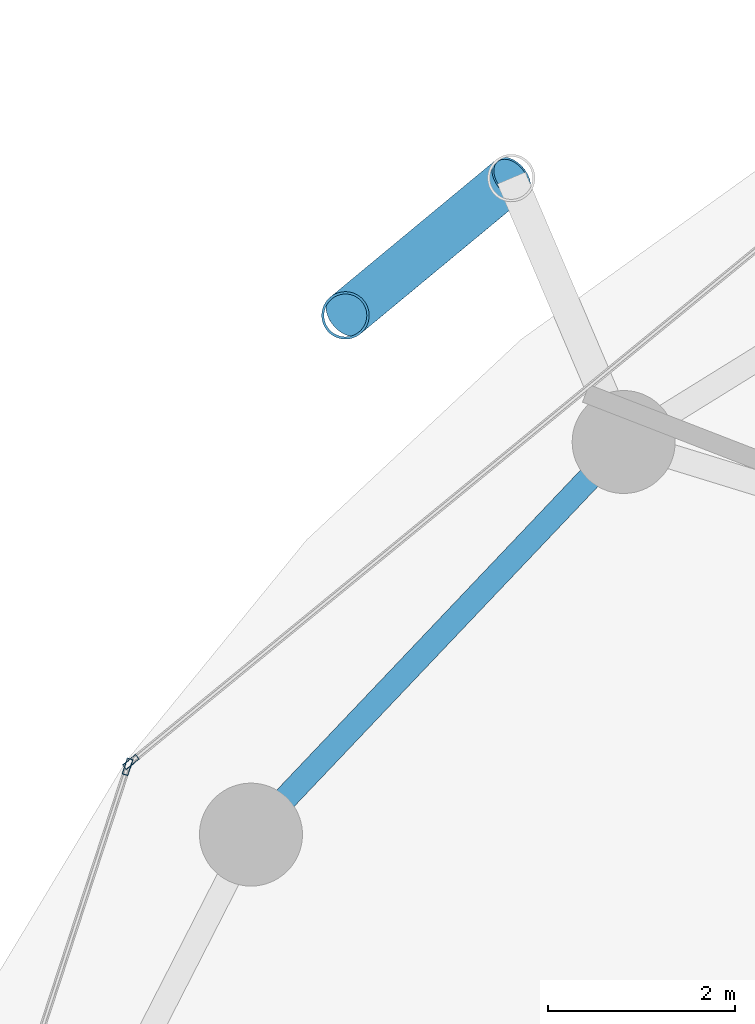
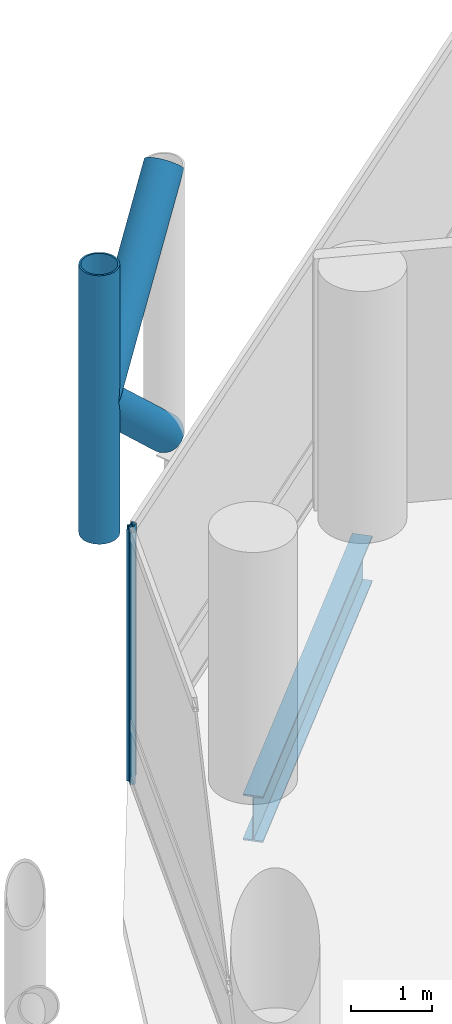
# One storey, part 13 of 24: 5 members, 1 beam, 2 elements without a shape of their own.
"""IFC4 building model written with IfcOpenShell, lengths in metres."""

from ifc_helpers import new_model, si_unit, direction, frame, origin, origin_2d, place, context, subcontext, project, spatial, hollow_rectangle, hollow_circle, i_section, extrude, material, layer, layer_set, material_profile, profile_set, type_object, element, aggregate, save


model = new_model("IFC4")

# Units and contexts
model_context = context("Model", 3, precision=1e-05, world=origin(), true_north=direction((0.0, 1.0)))
body_context = subcontext(model_context, "Body", "Model", "MODEL_VIEW")
ifc_project = project(units=[si_unit("LENGTHUNIT", "METRE"), si_unit("AREAUNIT", "SQUARE_METRE"), si_unit("VOLUMEUNIT", "CUBIC_METRE"), si_unit("PLANEANGLEUNIT", "RADIAN"), si_unit("MASSUNIT", "GRAM", prefix="KILO")], contexts=[model_context])

# Site, building, storey
site_placement = place(None, origin())
site = spatial("IfcSite", under=ifc_project, at=site_placement, CompositionType="ELEMENT")
building_placement = place(site_placement, origin())
building = spatial("IfcBuilding", under=site, at=building_placement, Name="Nuhasar Tower", CompositionType="ELEMENT")
storey_placement = place(building_placement, frame((0.0, 0.0, 77.699951171875)))
storey = spatial("IfcBuildingStorey", under=building, at=storey_placement, Name="L18", CompositionType="ELEMENT", Elevation=77.699951171875)

# Beam
ifc_material_1 = material(Name="Steel S355", Category="steel")
ifc_material_profile_1 = material_profile(ifc_material_1, i_section(OverallWidth=0.256103515625, OverallDepth=0.693115234375, WebThickness=0.014404296875, FlangeThickness=0.023681640625, at=origin_2d()), Name="W27X114")
ifc_profile_set_1 = profile_set([ifc_material_profile_1], Name="Steel S355")
beam_type = type_object("IfcBeamType", Name="BM-RING-W27X114", PredefinedType="SPANDREL", material=ifc_profile_set_1)
beam_placement = place(storey_placement, frame((21.287109375, 41.118896484375, -0.596923828125), z_axis=(-0.688480893507, -0.725254478976, 0.0), x_axis=(0.725254478976, -0.688480893507, 0.0)))
element("IfcBeam", 1, at=beam_placement, inside=storey, type_object=beam_type, Name="L18 Perimeter Ring Spandrel 10", PredefinedType="SPANDREL", context=body_context, shape_type="SweptSolid", body=[
    extrude(i_section(OverallWidth=0.256103515625, OverallDepth=0.693115234375, WebThickness=0.014404296875, FlangeThickness=0.023681640625, at=origin_2d()), origin(), (0.0, 0.0, 1.0), 5.782470703125),
])

# Curtain wall, member
ifc_material_2 = material(Name="Aluminium 6063-T6", Category="aluminium")
ifc_layer = layer(ifc_material_2, 0.199951171875)
ifc_layer_set = layer_set([ifc_layer], Name="Aluminium 6063-T6")
curtain_wall_type = type_object("IfcCurtainWallType", Name="CW-Z1-OFF", PredefinedType="NOTDEFINED", material=ifc_layer_set)
curtain_wall_1_placement = place(storey_placement, origin())
curtain_wall_1 = element("IfcCurtainWall", 2, at=curtain_wall_1_placement, inside=storey, type_object=curtain_wall_type, Name="L18 Unitised Curtain Wall 05", PredefinedType="NOTDEFINED")
ifc_material_profile_2 = material_profile(ifc_material_2, hollow_rectangle(XDim=0.06494140625, YDim=0.179931640625, WallThickness=0.0048828125, at=origin_2d()), Name="CWM-2")
ifc_profile_set_2 = profile_set([ifc_material_profile_2], Name="Aluminium 6063-T6")
member_type_1 = type_object("IfcMemberType", Name="CW-MUL-S2", PredefinedType="MULLION", material=ifc_profile_set_2)
member_1_placement = place(storey_placement, frame((16.023193359375, 37.70068359375, 0.0), z_axis=(0.0, 0.0, 1.0), x_axis=(0.633744593376, -0.773542364946, 0.0)))
member_1 = element("IfcMember", 3, at=member_1_placement, type_object=member_type_1, Name="CW-Z1 mullion 2", PredefinedType="MULLION", context=body_context, shape_type="SweptSolid", body=[
    extrude(hollow_rectangle(XDim=0.06494140625, YDim=0.179931640625, WallThickness=0.0048828125, at=origin_2d()), origin(), (0.0, 0.0, 1.0), 3.800048828125),
])
aggregate(curtain_wall_1, [member_1])

curtain_wall_2_placement = place(storey_placement, origin())
curtain_wall_2 = element("IfcCurtainWall", 4, at=curtain_wall_2_placement, inside=storey, type_object=curtain_wall_type, Name="L18 Unitised Curtain Wall 06", PredefinedType="NOTDEFINED")
member_2_placement = place(storey_placement, frame((15.98779296875, 37.649169921875, 0.0), z_axis=(0.0, 0.0, 1.0), x_axis=(0.950467534571, -0.310823849997, 0.0)))
member_2 = element("IfcMember", 5, at=member_2_placement, type_object=member_type_1, Name="CW-Z1 mullion 1", PredefinedType="MULLION", context=body_context, shape_type="SweptSolid", body=[
    extrude(hollow_rectangle(XDim=0.06494140625, YDim=0.179931640625, WallThickness=0.0048828125, at=origin_2d()), origin(), (0.0, 0.0, 1.0), 3.800048828125),
])
aggregate(curtain_wall_2, [member_2])

# Members
ifc_material_3 = material(Name="Steel S460", Category="steel")
ifc_material_profile_3 = material_profile(ifc_material_3, hollow_circle(Radius=0.25390625, WallThickness=0.025390625, at=origin_2d()), Name="HSS508X25.4")
ifc_profile_set_3 = profile_set([ifc_material_profile_3], Name="Steel S460")
member_type_2 = type_object("IfcMemberType", Name="EXO-BRONZE-508", PredefinedType="BRACE", material=ifc_profile_set_3)
member_3_placement = place(storey_placement, frame((18.31494140625, 42.470947265625, 0.0), z_axis=(0.0, 0.0, 1.0), x_axis=(1.0, 0.0, 0.0)))
element("IfcMember", 6, at=member_3_placement, inside=storey, type_object=member_type_2, Name="L18 Exoskeleton Chord Column EC-05B", PredefinedType="BRACE", context=body_context, shape_type="SweptSolid", body=[
    extrude(hollow_circle(Radius=0.25390625, WallThickness=0.025390625, at=origin_2d()), origin(), (0.0, 0.0, 1.0), 4.050048828125),
])
member_4_placement = place(storey_placement, frame((20.0869140625, 43.93896484375, 0.0), z_axis=(-0.578071194894, -0.478911834514, 0.660664172175), x_axis=(0.637969333506, -0.770061769929, 0.0)))
element("IfcMember", 7, at=member_4_placement, inside=storey, type_object=member_type_2, Name="L18 Bronze Diagrid Brace W1-05", PredefinedType="BRACE", context=body_context, shape_type="SweptSolid", body=[
    extrude(hollow_circle(Radius=0.25390625, WallThickness=0.025390625, at=origin_2d()), origin(), (0.0, 0.0, 1.0), 3.0654296875),
])
member_5_placement = place(storey_placement, frame((18.31494140625, 42.470947265625, 2.025146484375), z_axis=(0.578101613167, 0.478937034992, 0.660619286251), x_axis=(-0.637969333506, 0.770061769929, 0.0)))
element("IfcMember", 8, at=member_5_placement, inside=storey, type_object=member_type_2, Name="L18 Bronze Diagrid Brace W2-05", PredefinedType="BRACE", context=body_context, shape_type="SweptSolid", body=[
    extrude(hollow_circle(Radius=0.25390625, WallThickness=0.025390625, at=origin_2d()), origin(), (0.0, 0.0, 1.0), 3.065185546875),
])

save(model, "model.ifc")
